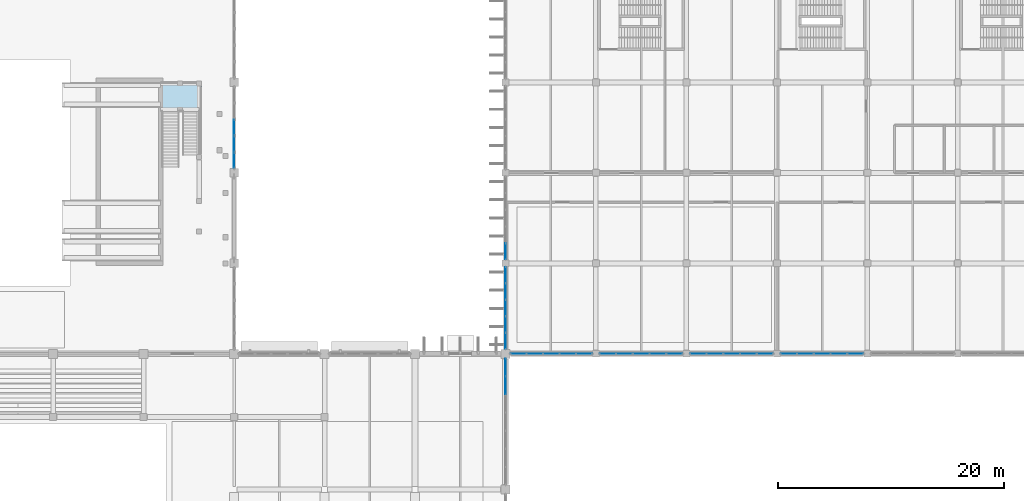
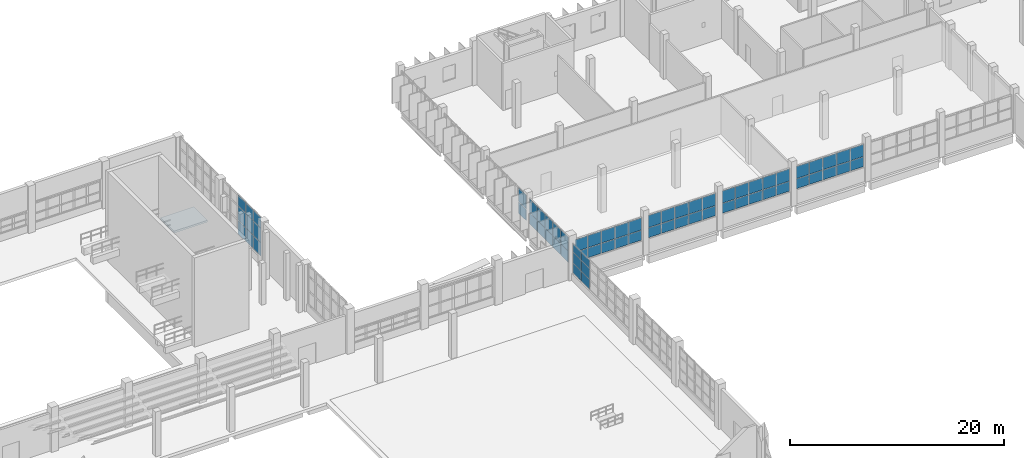
# One storey, part 60 of 103: 67 plates, 1 slab, 9 elements without a shape of their own.
"""IFC4 building model written with IfcOpenShell, lengths in metres."""

from ifc_helpers import new_model, si_unit, direction, frame, origin, origin_2d, place, context, subcontext, project, spatial, polyline, rectangle, outline, extrude, material, layer, layer_set, type_object, element, aggregate, save


model = new_model("IFC4")

# Units and contexts
model_context = context("Model", 3, precision=1e-05, world=origin(), true_north=direction((0.0, 1.0)))
body_context = subcontext(model_context, "Body", "Model", "MODEL_VIEW")
ifc_project = project(units=[si_unit("LENGTHUNIT", "METRE"), si_unit("AREAUNIT", "SQUARE_METRE"), si_unit("VOLUMEUNIT", "CUBIC_METRE"), si_unit("PLANEANGLEUNIT", "RADIAN"), si_unit("MASSUNIT", "GRAM", prefix="KILO")], contexts=[model_context])

# Site, building, storey
site_placement = place(None, origin())
site = spatial("IfcSite", under=ifc_project, at=site_placement, CompositionType="ELEMENT")
building_placement = place(site_placement, origin())
building = spatial("IfcBuilding", under=site, at=building_placement, Name="Drelvana Railside Aquatics Centre", CompositionType="ELEMENT")
storey_placement = place(building_placement, origin())
storey = spatial("IfcBuildingStorey", under=building, at=storey_placement, Name="L00", CompositionType="ELEMENT", Elevation=0.0)

# Curtain wall, plates
ifc_material_1 = material(Name="Bronze-anodised aluminium curtain wall", Category="aluminium")
ifc_layer_1 = layer(ifc_material_1, 0.1650390625, Name="Bronze-anodised aluminium curtain wall")
ifc_layer_set_1 = layer_set([ifc_layer_1], Name="Bronze-anodised aluminium curtain wall")
curtain_wall_type_1 = type_object("IfcCurtainWallType", Name="CW-Z5-COURT", PredefinedType="NOTDEFINED", material=ifc_layer_set_1)
curtain_wall_1_placement = place(storey_placement, origin())
curtain_wall_1 = element("IfcCurtainWall", 1, at=curtain_wall_1_placement, inside=storey, type_object=curtain_wall_type_1, Name="Curtain wall CW-05-078", PredefinedType="NOTDEFINED")
ifc_material_2 = material(Name="Double-glazed low-e solar-control glass", Category="glass")
ifc_layer_2 = layer(ifc_material_2, 0.02587890625, Name="Double-glazed low-e solar-control glass")
ifc_layer_set_2 = layer_set([ifc_layer_2], Name="Double-glazed low-e solar-control glass")
plate_type_1 = type_object("IfcPlateType", Name="CW-Z5-COURT-PAN", PredefinedType="CURTAIN_PANEL", material=ifc_layer_set_2)
plate_1_placement = place(storey_placement, frame((96.0, 81.203369140625, 0.84912109375), z_axis=(0.0, 0.0, 1.0), x_axis=(0.0, 1.0, 0.0)))
plate_1 = element("IfcPlate", 2, at=plate_1_placement, type_object=plate_type_1, Name="CW-05 panel 6.1", PredefinedType="CURTAIN_PANEL", context=body_context, shape_type="SweptSolid", body=[
    extrude(rectangle(XDim=1.5517578125, YDim=0.02587890625, at=origin_2d()), origin(), (0.0, 0.0, 1.0), 1.114013671875),
])
plate_2_placement = place(storey_placement, frame((96.0, 81.203369140625, 2.012939453125), z_axis=(0.0, 0.0, 1.0), x_axis=(0.0, 1.0, 0.0)))
plate_2 = element("IfcPlate", 3, at=plate_2_placement, type_object=plate_type_1, Name="CW-05 panel 6.2", PredefinedType="CURTAIN_PANEL", context=body_context, shape_type="SweptSolid", body=[
    extrude(rectangle(XDim=1.5517578125, YDim=0.02587890625, at=origin_2d()), origin(), (0.0, 0.0, 1.0), 1.2119140625),
])
plate_3_placement = place(storey_placement, frame((96.0, 81.203369140625, 3.27490234375), z_axis=(0.0, 0.0, 1.0), x_axis=(0.0, 1.0, 0.0)))
plate_3 = element("IfcPlate", 4, at=plate_3_placement, type_object=plate_type_1, Name="CW-05 panel 6.3", PredefinedType="CURTAIN_PANEL", context=body_context, shape_type="SweptSolid", body=[
    extrude(rectangle(XDim=1.5517578125, YDim=0.02587890625, at=origin_2d()), origin(), (0.0, 0.0, 1.0), 0.875),
])
plate_4_placement = place(storey_placement, frame((96.0, 82.7900390625, 0.84912109375), z_axis=(0.0, 0.0, 1.0), x_axis=(0.0, 1.0, 0.0)))
plate_4 = element("IfcPlate", 5, at=plate_4_placement, type_object=plate_type_1, Name="CW-05 panel 7.1", PredefinedType="CURTAIN_PANEL", context=body_context, shape_type="SweptSolid", body=[
    extrude(rectangle(XDim=1.521728515625, YDim=0.02587890625, at=origin_2d()), origin(), (0.0, 0.0, 1.0), 1.114013671875),
])
plate_5_placement = place(storey_placement, frame((96.0, 82.7900390625, 2.012939453125), z_axis=(0.0, 0.0, 1.0), x_axis=(0.0, 1.0, 0.0)))
plate_5 = element("IfcPlate", 6, at=plate_5_placement, type_object=plate_type_1, Name="CW-05 panel 7.2", PredefinedType="CURTAIN_PANEL", context=body_context, shape_type="SweptSolid", body=[
    extrude(rectangle(XDim=1.521728515625, YDim=0.02587890625, at=origin_2d()), origin(), (0.0, 0.0, 1.0), 1.2119140625),
])
plate_6_placement = place(storey_placement, frame((96.0, 82.7900390625, 3.27490234375), z_axis=(0.0, 0.0, 1.0), x_axis=(0.0, 1.0, 0.0)))
plate_6 = element("IfcPlate", 7, at=plate_6_placement, type_object=plate_type_1, Name="CW-05 panel 7.3", PredefinedType="CURTAIN_PANEL", context=body_context, shape_type="SweptSolid", body=[
    extrude(rectangle(XDim=1.521728515625, YDim=0.02587890625, at=origin_2d()), origin(), (0.0, 0.0, 1.0), 0.875),
])
aggregate(curtain_wall_1, [plate_1, plate_2, plate_3, plate_4, plate_5, plate_6])

curtain_wall_2_placement = place(storey_placement, origin())
curtain_wall_2 = element("IfcCurtainWall", 8, at=curtain_wall_2_placement, inside=storey, type_object=curtain_wall_type_1, Name="Curtain wall CW-05-115", PredefinedType="NOTDEFINED")
plate_7_placement = place(storey_placement, frame((97.14013671875, 84.0, 1.64892578125), z_axis=(0.0, 0.0, 1.0), x_axis=(1.0, 0.0, 0.0)))
plate_7 = element("IfcPlate", 9, at=plate_7_placement, type_object=plate_type_1, Name="CW-05 panel 1.1", PredefinedType="CURTAIN_PANEL", context=body_context, shape_type="SweptSolid", body=[
    extrude(rectangle(XDim=1.38232421875, YDim=0.02587890625, at=origin_2d()), origin(), (0.0, 0.0, 1.0), 1.114990234375),
])
plate_8_placement = place(storey_placement, frame((97.14013671875, 84.0, 2.81396484375), z_axis=(0.0, 0.0, 1.0), x_axis=(1.0, 0.0, 0.0)))
plate_8 = element("IfcPlate", 10, at=plate_8_placement, type_object=plate_type_1, Name="CW-05 panel 1.2", PredefinedType="CURTAIN_PANEL", context=body_context, shape_type="SweptSolid", body=[
    extrude(rectangle(XDim=1.38232421875, YDim=0.02587890625, at=origin_2d()), origin(), (0.0, 0.0, 1.0), 1.381103515625),
])
plate_9_placement = place(storey_placement, frame((98.587646484375, 84.0, 1.64892578125), z_axis=(0.0, 0.0, 1.0), x_axis=(1.0, 0.0, 0.0)))
plate_9 = element("IfcPlate", 11, at=plate_9_placement, type_object=plate_type_1, Name="CW-05 panel 2.1", PredefinedType="CURTAIN_PANEL", context=body_context, shape_type="SweptSolid", body=[
    extrude(rectangle(XDim=1.412353515625, YDim=0.02587890625, at=origin_2d()), origin(), (0.0, 0.0, 1.0), 1.114990234375),
])
plate_10_placement = place(storey_placement, frame((98.587646484375, 84.0, 2.81396484375), z_axis=(0.0, 0.0, 1.0), x_axis=(1.0, 0.0, 0.0)))
plate_10 = element("IfcPlate", 12, at=plate_10_placement, type_object=plate_type_1, Name="CW-05 panel 2.2", PredefinedType="CURTAIN_PANEL", context=body_context, shape_type="SweptSolid", body=[
    extrude(rectangle(XDim=1.412353515625, YDim=0.02587890625, at=origin_2d()), origin(), (0.0, 0.0, 1.0), 1.381103515625),
])
plate_11_placement = place(storey_placement, frame((100.050048828125, 84.0, 1.64892578125), z_axis=(0.0, 0.0, 1.0), x_axis=(1.0, 0.0, 0.0)))
plate_11 = element("IfcPlate", 13, at=plate_11_placement, type_object=plate_type_1, Name="CW-05 panel 3.1", PredefinedType="CURTAIN_PANEL", context=body_context, shape_type="SweptSolid", body=[
    extrude(rectangle(XDim=1.412353515625, YDim=0.02587890625, at=origin_2d()), origin(), (0.0, 0.0, 1.0), 1.114990234375),
])
plate_12_placement = place(storey_placement, frame((100.050048828125, 84.0, 2.81396484375), z_axis=(0.0, 0.0, 1.0), x_axis=(1.0, 0.0, 0.0)))
plate_12 = element("IfcPlate", 14, at=plate_12_placement, type_object=plate_type_1, Name="CW-05 panel 3.2", PredefinedType="CURTAIN_PANEL", context=body_context, shape_type="SweptSolid", body=[
    extrude(rectangle(XDim=1.412353515625, YDim=0.02587890625, at=origin_2d()), origin(), (0.0, 0.0, 1.0), 1.381103515625),
])
plate_13_placement = place(storey_placement, frame((101.512451171875, 84.0, 1.64892578125), z_axis=(0.0, 0.0, 1.0), x_axis=(1.0, 0.0, 0.0)))
plate_13 = element("IfcPlate", 15, at=plate_13_placement, type_object=plate_type_1, Name="CW-05 panel 4.1", PredefinedType="CURTAIN_PANEL", context=body_context, shape_type="SweptSolid", body=[
    extrude(rectangle(XDim=1.412353515625, YDim=0.02587890625, at=origin_2d()), origin(), (0.0, 0.0, 1.0), 1.114990234375),
])
plate_14_placement = place(storey_placement, frame((101.512451171875, 84.0, 2.81396484375), z_axis=(0.0, 0.0, 1.0), x_axis=(1.0, 0.0, 0.0)))
plate_14 = element("IfcPlate", 16, at=plate_14_placement, type_object=plate_type_1, Name="CW-05 panel 4.2", PredefinedType="CURTAIN_PANEL", context=body_context, shape_type="SweptSolid", body=[
    extrude(rectangle(XDim=1.412353515625, YDim=0.02587890625, at=origin_2d()), origin(), (0.0, 0.0, 1.0), 1.381103515625),
])
plate_15_placement = place(storey_placement, frame((102.959716796875, 84.0, 1.64892578125), z_axis=(0.0, 0.0, 1.0), x_axis=(1.0, 0.0, 0.0)))
plate_15 = element("IfcPlate", 17, at=plate_15_placement, type_object=plate_type_1, Name="CW-05 panel 5.1", PredefinedType="CURTAIN_PANEL", context=body_context, shape_type="SweptSolid", body=[
    extrude(rectangle(XDim=1.38232421875, YDim=0.02587890625, at=origin_2d()), origin(), (0.0, 0.0, 1.0), 1.114990234375),
])
plate_16_placement = place(storey_placement, frame((102.959716796875, 84.0, 2.81396484375), z_axis=(0.0, 0.0, 1.0), x_axis=(1.0, 0.0, 0.0)))
plate_16 = element("IfcPlate", 18, at=plate_16_placement, type_object=plate_type_1, Name="CW-05 panel 5.2", PredefinedType="CURTAIN_PANEL", context=body_context, shape_type="SweptSolid", body=[
    extrude(rectangle(XDim=1.38232421875, YDim=0.02587890625, at=origin_2d()), origin(), (0.0, 0.0, 1.0), 1.381103515625),
])
aggregate(curtain_wall_2, [plate_7, plate_8, plate_9, plate_10, plate_11, plate_12, plate_13, plate_14, plate_15, plate_16])

curtain_wall_3_placement = place(storey_placement, origin())
curtain_wall_3 = element("IfcCurtainWall", 19, at=curtain_wall_3_placement, inside=storey, type_object=curtain_wall_type_1, Name="Curtain wall CW-05-117", PredefinedType="NOTDEFINED")
plate_17_placement = place(storey_placement, frame((105.05029296875, 84.0, 1.64892578125), z_axis=(0.0, 0.0, 1.0), x_axis=(1.0, 0.0, 0.0)))
plate_17 = element("IfcPlate", 20, at=plate_17_placement, type_object=plate_type_1, Name="CW-05 panel 1.1", PredefinedType="CURTAIN_PANEL", context=body_context, shape_type="SweptSolid", body=[
    extrude(rectangle(XDim=1.40234375, YDim=0.02587890625, at=origin_2d()), origin(), (0.0, 0.0, 1.0), 1.114990234375),
])
plate_18_placement = place(storey_placement, frame((105.05029296875, 84.0, 2.81396484375), z_axis=(0.0, 0.0, 1.0), x_axis=(1.0, 0.0, 0.0)))
plate_18 = element("IfcPlate", 21, at=plate_18_placement, type_object=plate_type_1, Name="CW-05 panel 1.2", PredefinedType="CURTAIN_PANEL", context=body_context, shape_type="SweptSolid", body=[
    extrude(rectangle(XDim=1.40234375, YDim=0.02587890625, at=origin_2d()), origin(), (0.0, 0.0, 1.0), 1.381103515625),
])
plate_19_placement = place(storey_placement, frame((106.517578125, 84.0, 1.64892578125), z_axis=(0.0, 0.0, 1.0), x_axis=(1.0, 0.0, 0.0)))
plate_19 = element("IfcPlate", 22, at=plate_19_placement, type_object=plate_type_1, Name="CW-05 panel 2.1", PredefinedType="CURTAIN_PANEL", context=body_context, shape_type="SweptSolid", body=[
    extrude(rectangle(XDim=1.432373046875, YDim=0.02587890625, at=origin_2d()), origin(), (0.0, 0.0, 1.0), 1.114990234375),
])
plate_20_placement = place(storey_placement, frame((106.517578125, 84.0, 2.81396484375), z_axis=(0.0, 0.0, 1.0), x_axis=(1.0, 0.0, 0.0)))
plate_20 = element("IfcPlate", 23, at=plate_20_placement, type_object=plate_type_1, Name="CW-05 panel 2.2", PredefinedType="CURTAIN_PANEL", context=body_context, shape_type="SweptSolid", body=[
    extrude(rectangle(XDim=1.432373046875, YDim=0.02587890625, at=origin_2d()), origin(), (0.0, 0.0, 1.0), 1.381103515625),
])
plate_21_placement = place(storey_placement, frame((108.0, 84.0, 1.64892578125), z_axis=(0.0, 0.0, 1.0), x_axis=(1.0, 0.0, 0.0)))
plate_21 = element("IfcPlate", 24, at=plate_21_placement, type_object=plate_type_1, Name="CW-05 panel 3.1", PredefinedType="CURTAIN_PANEL", context=body_context, shape_type="SweptSolid", body=[
    extrude(rectangle(XDim=1.432373046875, YDim=0.02587890625, at=origin_2d()), origin(), (0.0, 0.0, 1.0), 1.114990234375),
])
plate_22_placement = place(storey_placement, frame((108.0, 84.0, 2.81396484375), z_axis=(0.0, 0.0, 1.0), x_axis=(1.0, 0.0, 0.0)))
plate_22 = element("IfcPlate", 25, at=plate_22_placement, type_object=plate_type_1, Name="CW-05 panel 3.2", PredefinedType="CURTAIN_PANEL", context=body_context, shape_type="SweptSolid", body=[
    extrude(rectangle(XDim=1.432373046875, YDim=0.02587890625, at=origin_2d()), origin(), (0.0, 0.0, 1.0), 1.381103515625),
])
plate_23_placement = place(storey_placement, frame((109.482421875, 84.0, 1.64892578125), z_axis=(0.0, 0.0, 1.0), x_axis=(1.0, 0.0, 0.0)))
plate_23 = element("IfcPlate", 26, at=plate_23_placement, type_object=plate_type_1, Name="CW-05 panel 4.1", PredefinedType="CURTAIN_PANEL", context=body_context, shape_type="SweptSolid", body=[
    extrude(rectangle(XDim=1.432373046875, YDim=0.02587890625, at=origin_2d()), origin(), (0.0, 0.0, 1.0), 1.114990234375),
])
plate_24_placement = place(storey_placement, frame((109.482421875, 84.0, 2.81396484375), z_axis=(0.0, 0.0, 1.0), x_axis=(1.0, 0.0, 0.0)))
plate_24 = element("IfcPlate", 27, at=plate_24_placement, type_object=plate_type_1, Name="CW-05 panel 4.2", PredefinedType="CURTAIN_PANEL", context=body_context, shape_type="SweptSolid", body=[
    extrude(rectangle(XDim=1.432373046875, YDim=0.02587890625, at=origin_2d()), origin(), (0.0, 0.0, 1.0), 1.381103515625),
])
plate_25_placement = place(storey_placement, frame((110.94970703125, 84.0, 1.64892578125), z_axis=(0.0, 0.0, 1.0), x_axis=(1.0, 0.0, 0.0)))
plate_25 = element("IfcPlate", 28, at=plate_25_placement, type_object=plate_type_1, Name="CW-05 panel 5.1", PredefinedType="CURTAIN_PANEL", context=body_context, shape_type="SweptSolid", body=[
    extrude(rectangle(XDim=1.40234375, YDim=0.02587890625, at=origin_2d()), origin(), (0.0, 0.0, 1.0), 1.114990234375),
])
plate_26_placement = place(storey_placement, frame((110.94970703125, 84.0, 2.81396484375), z_axis=(0.0, 0.0, 1.0), x_axis=(1.0, 0.0, 0.0)))
plate_26 = element("IfcPlate", 29, at=plate_26_placement, type_object=plate_type_1, Name="CW-05 panel 5.2", PredefinedType="CURTAIN_PANEL", context=body_context, shape_type="SweptSolid", body=[
    extrude(rectangle(XDim=1.40234375, YDim=0.02587890625, at=origin_2d()), origin(), (0.0, 0.0, 1.0), 1.381103515625),
])
aggregate(curtain_wall_3, [plate_17, plate_18, plate_19, plate_20, plate_21, plate_22, plate_23, plate_24, plate_25, plate_26])

curtain_wall_4_placement = place(storey_placement, origin())
curtain_wall_4 = element("IfcCurtainWall", 30, at=curtain_wall_4_placement, inside=storey, type_object=curtain_wall_type_1, Name="Curtain wall CW-05-119", PredefinedType="NOTDEFINED")
plate_27_placement = place(storey_placement, frame((113.05029296875, 84.0, 1.64892578125), z_axis=(0.0, 0.0, 1.0), x_axis=(1.0, 0.0, 0.0)))
plate_27 = element("IfcPlate", 31, at=plate_27_placement, type_object=plate_type_1, Name="CW-05 panel 1.1", PredefinedType="CURTAIN_PANEL", context=body_context, shape_type="SweptSolid", body=[
    extrude(rectangle(XDim=1.40234375, YDim=0.02587890625, at=origin_2d()), origin(), (0.0, 0.0, 1.0), 1.114990234375),
])
plate_28_placement = place(storey_placement, frame((113.05029296875, 84.0, 2.81396484375), z_axis=(0.0, 0.0, 1.0), x_axis=(1.0, 0.0, 0.0)))
plate_28 = element("IfcPlate", 32, at=plate_28_placement, type_object=plate_type_1, Name="CW-05 panel 1.2", PredefinedType="CURTAIN_PANEL", context=body_context, shape_type="SweptSolid", body=[
    extrude(rectangle(XDim=1.40234375, YDim=0.02587890625, at=origin_2d()), origin(), (0.0, 0.0, 1.0), 1.381103515625),
])
plate_29_placement = place(storey_placement, frame((114.517578125, 84.0, 1.64892578125), z_axis=(0.0, 0.0, 1.0), x_axis=(1.0, 0.0, 0.0)))
plate_29 = element("IfcPlate", 33, at=plate_29_placement, type_object=plate_type_1, Name="CW-05 panel 2.1", PredefinedType="CURTAIN_PANEL", context=body_context, shape_type="SweptSolid", body=[
    extrude(rectangle(XDim=1.432373046875, YDim=0.02587890625, at=origin_2d()), origin(), (0.0, 0.0, 1.0), 1.114990234375),
])
plate_30_placement = place(storey_placement, frame((114.517578125, 84.0, 2.81396484375), z_axis=(0.0, 0.0, 1.0), x_axis=(1.0, 0.0, 0.0)))
plate_30 = element("IfcPlate", 34, at=plate_30_placement, type_object=plate_type_1, Name="CW-05 panel 2.2", PredefinedType="CURTAIN_PANEL", context=body_context, shape_type="SweptSolid", body=[
    extrude(rectangle(XDim=1.432373046875, YDim=0.02587890625, at=origin_2d()), origin(), (0.0, 0.0, 1.0), 1.381103515625),
])
plate_31_placement = place(storey_placement, frame((116.0, 84.0, 1.64892578125), z_axis=(0.0, 0.0, 1.0), x_axis=(1.0, 0.0, 0.0)))
plate_31 = element("IfcPlate", 35, at=plate_31_placement, type_object=plate_type_1, Name="CW-05 panel 3.1", PredefinedType="CURTAIN_PANEL", context=body_context, shape_type="SweptSolid", body=[
    extrude(rectangle(XDim=1.432373046875, YDim=0.02587890625, at=origin_2d()), origin(), (0.0, 0.0, 1.0), 1.114990234375),
])
plate_32_placement = place(storey_placement, frame((116.0, 84.0, 2.81396484375), z_axis=(0.0, 0.0, 1.0), x_axis=(1.0, 0.0, 0.0)))
plate_32 = element("IfcPlate", 36, at=plate_32_placement, type_object=plate_type_1, Name="CW-05 panel 3.2", PredefinedType="CURTAIN_PANEL", context=body_context, shape_type="SweptSolid", body=[
    extrude(rectangle(XDim=1.432373046875, YDim=0.02587890625, at=origin_2d()), origin(), (0.0, 0.0, 1.0), 1.381103515625),
])
plate_33_placement = place(storey_placement, frame((117.482421875, 84.0, 1.64892578125), z_axis=(0.0, 0.0, 1.0), x_axis=(1.0, 0.0, 0.0)))
plate_33 = element("IfcPlate", 37, at=plate_33_placement, type_object=plate_type_1, Name="CW-05 panel 4.1", PredefinedType="CURTAIN_PANEL", context=body_context, shape_type="SweptSolid", body=[
    extrude(rectangle(XDim=1.432373046875, YDim=0.02587890625, at=origin_2d()), origin(), (0.0, 0.0, 1.0), 1.114990234375),
])
plate_34_placement = place(storey_placement, frame((117.482421875, 84.0, 2.81396484375), z_axis=(0.0, 0.0, 1.0), x_axis=(1.0, 0.0, 0.0)))
plate_34 = element("IfcPlate", 38, at=plate_34_placement, type_object=plate_type_1, Name="CW-05 panel 4.2", PredefinedType="CURTAIN_PANEL", context=body_context, shape_type="SweptSolid", body=[
    extrude(rectangle(XDim=1.432373046875, YDim=0.02587890625, at=origin_2d()), origin(), (0.0, 0.0, 1.0), 1.381103515625),
])
plate_35_placement = place(storey_placement, frame((118.94970703125, 84.0, 1.64892578125), z_axis=(0.0, 0.0, 1.0), x_axis=(1.0, 0.0, 0.0)))
plate_35 = element("IfcPlate", 39, at=plate_35_placement, type_object=plate_type_1, Name="CW-05 panel 5.1", PredefinedType="CURTAIN_PANEL", context=body_context, shape_type="SweptSolid", body=[
    extrude(rectangle(XDim=1.40234375, YDim=0.02587890625, at=origin_2d()), origin(), (0.0, 0.0, 1.0), 1.114990234375),
])
plate_36_placement = place(storey_placement, frame((118.94970703125, 84.0, 2.81396484375), z_axis=(0.0, 0.0, 1.0), x_axis=(1.0, 0.0, 0.0)))
plate_36 = element("IfcPlate", 40, at=plate_36_placement, type_object=plate_type_1, Name="CW-05 panel 5.2", PredefinedType="CURTAIN_PANEL", context=body_context, shape_type="SweptSolid", body=[
    extrude(rectangle(XDim=1.40234375, YDim=0.02587890625, at=origin_2d()), origin(), (0.0, 0.0, 1.0), 1.381103515625),
])
aggregate(curtain_wall_4, [plate_27, plate_28, plate_29, plate_30, plate_31, plate_32, plate_33, plate_34, plate_35, plate_36])

curtain_wall_5_placement = place(storey_placement, origin())
curtain_wall_5 = element("IfcCurtainWall", 41, at=curtain_wall_5_placement, inside=storey, type_object=curtain_wall_type_1, Name="Curtain wall CW-05-121", PredefinedType="NOTDEFINED")
plate_37_placement = place(storey_placement, frame((121.05029296875, 84.0, 1.64892578125), z_axis=(0.0, 0.0, 1.0), x_axis=(1.0, 0.0, 0.0)))
plate_37 = element("IfcPlate", 42, at=plate_37_placement, type_object=plate_type_1, Name="CW-05 panel 1.1", PredefinedType="CURTAIN_PANEL", context=body_context, shape_type="SweptSolid", body=[
    extrude(rectangle(XDim=1.40234375, YDim=0.02587890625, at=origin_2d()), origin(), (0.0, 0.0, 1.0), 1.114990234375),
])
plate_38_placement = place(storey_placement, frame((121.05029296875, 84.0, 2.81396484375), z_axis=(0.0, 0.0, 1.0), x_axis=(1.0, 0.0, 0.0)))
plate_38 = element("IfcPlate", 43, at=plate_38_placement, type_object=plate_type_1, Name="CW-05 panel 1.2", PredefinedType="CURTAIN_PANEL", context=body_context, shape_type="SweptSolid", body=[
    extrude(rectangle(XDim=1.40234375, YDim=0.02587890625, at=origin_2d()), origin(), (0.0, 0.0, 1.0), 1.381103515625),
])
plate_39_placement = place(storey_placement, frame((122.517578125, 84.0, 1.64892578125), z_axis=(0.0, 0.0, 1.0), x_axis=(1.0, 0.0, 0.0)))
plate_39 = element("IfcPlate", 44, at=plate_39_placement, type_object=plate_type_1, Name="CW-05 panel 2.1", PredefinedType="CURTAIN_PANEL", context=body_context, shape_type="SweptSolid", body=[
    extrude(rectangle(XDim=1.432373046875, YDim=0.02587890625, at=origin_2d()), origin(), (0.0, 0.0, 1.0), 1.114990234375),
])
plate_40_placement = place(storey_placement, frame((122.517578125, 84.0, 2.81396484375), z_axis=(0.0, 0.0, 1.0), x_axis=(1.0, 0.0, 0.0)))
plate_40 = element("IfcPlate", 45, at=plate_40_placement, type_object=plate_type_1, Name="CW-05 panel 2.2", PredefinedType="CURTAIN_PANEL", context=body_context, shape_type="SweptSolid", body=[
    extrude(rectangle(XDim=1.432373046875, YDim=0.02587890625, at=origin_2d()), origin(), (0.0, 0.0, 1.0), 1.381103515625),
])
plate_41_placement = place(storey_placement, frame((124.0, 84.0, 1.64892578125), z_axis=(0.0, 0.0, 1.0), x_axis=(1.0, 0.0, 0.0)))
plate_41 = element("IfcPlate", 46, at=plate_41_placement, type_object=plate_type_1, Name="CW-05 panel 3.1", PredefinedType="CURTAIN_PANEL", context=body_context, shape_type="SweptSolid", body=[
    extrude(rectangle(XDim=1.432373046875, YDim=0.02587890625, at=origin_2d()), origin(), (0.0, 0.0, 1.0), 1.114990234375),
])
plate_42_placement = place(storey_placement, frame((124.0, 84.0, 2.81396484375), z_axis=(0.0, 0.0, 1.0), x_axis=(1.0, 0.0, 0.0)))
plate_42 = element("IfcPlate", 47, at=plate_42_placement, type_object=plate_type_1, Name="CW-05 panel 3.2", PredefinedType="CURTAIN_PANEL", context=body_context, shape_type="SweptSolid", body=[
    extrude(rectangle(XDim=1.432373046875, YDim=0.02587890625, at=origin_2d()), origin(), (0.0, 0.0, 1.0), 1.381103515625),
])
plate_43_placement = place(storey_placement, frame((125.482421875, 84.0, 1.64892578125), z_axis=(0.0, 0.0, 1.0), x_axis=(1.0, 0.0, 0.0)))
plate_43 = element("IfcPlate", 48, at=plate_43_placement, type_object=plate_type_1, Name="CW-05 panel 4.1", PredefinedType="CURTAIN_PANEL", context=body_context, shape_type="SweptSolid", body=[
    extrude(rectangle(XDim=1.432373046875, YDim=0.02587890625, at=origin_2d()), origin(), (0.0, 0.0, 1.0), 1.114990234375),
])
plate_44_placement = place(storey_placement, frame((125.482421875, 84.0, 2.81396484375), z_axis=(0.0, 0.0, 1.0), x_axis=(1.0, 0.0, 0.0)))
plate_44 = element("IfcPlate", 49, at=plate_44_placement, type_object=plate_type_1, Name="CW-05 panel 4.2", PredefinedType="CURTAIN_PANEL", context=body_context, shape_type="SweptSolid", body=[
    extrude(rectangle(XDim=1.432373046875, YDim=0.02587890625, at=origin_2d()), origin(), (0.0, 0.0, 1.0), 1.381103515625),
])
plate_45_placement = place(storey_placement, frame((126.94970703125, 84.0, 1.64892578125), z_axis=(0.0, 0.0, 1.0), x_axis=(1.0, 0.0, 0.0)))
plate_45 = element("IfcPlate", 50, at=plate_45_placement, type_object=plate_type_1, Name="CW-05 panel 5.1", PredefinedType="CURTAIN_PANEL", context=body_context, shape_type="SweptSolid", body=[
    extrude(rectangle(XDim=1.40234375, YDim=0.02587890625, at=origin_2d()), origin(), (0.0, 0.0, 1.0), 1.114990234375),
])
plate_46_placement = place(storey_placement, frame((126.94970703125, 84.0, 2.81396484375), z_axis=(0.0, 0.0, 1.0), x_axis=(1.0, 0.0, 0.0)))
plate_46 = element("IfcPlate", 51, at=plate_46_placement, type_object=plate_type_1, Name="CW-05 panel 5.2", PredefinedType="CURTAIN_PANEL", context=body_context, shape_type="SweptSolid", body=[
    extrude(rectangle(XDim=1.40234375, YDim=0.02587890625, at=origin_2d()), origin(), (0.0, 0.0, 1.0), 1.381103515625),
])
aggregate(curtain_wall_5, [plate_37, plate_38, plate_39, plate_40, plate_41, plate_42, plate_43, plate_44, plate_45, plate_46])

curtain_wall_6_placement = place(storey_placement, origin())
curtain_wall_6 = element("IfcCurtainWall", 52, at=curtain_wall_6_placement, inside=storey, type_object=curtain_wall_type_1, Name="Curtain wall CW-05-127", PredefinedType="NOTDEFINED")
plate_47_placement = place(storey_placement, frame((96.0, 85.14013671875, 1.4990234375), z_axis=(0.0, 0.0, 1.0), x_axis=(0.0, 1.0, 0.0)))
plate_47 = element("IfcPlate", 53, at=plate_47_placement, type_object=plate_type_1, Name="CW-05 panel 1.1", PredefinedType="CURTAIN_PANEL", context=body_context, shape_type="SweptSolid", body=[
    extrude(rectangle(XDim=1.38232421875, YDim=0.02587890625, at=origin_2d()), origin(), (0.0, 0.0, 1.0), 1.27294921875),
])
plate_48_placement = place(storey_placement, frame((96.0, 85.14013671875, 2.82177734375), z_axis=(0.0, 0.0, 1.0), x_axis=(0.0, 1.0, 0.0)))
plate_48 = element("IfcPlate", 54, at=plate_48_placement, type_object=plate_type_1, Name="CW-05 panel 1.2", PredefinedType="CURTAIN_PANEL", context=body_context, shape_type="SweptSolid", body=[
    extrude(rectangle(XDim=1.38232421875, YDim=0.02587890625, at=origin_2d()), origin(), (0.0, 0.0, 1.0), 1.572998046875),
])
plate_49_placement = place(storey_placement, frame((96.0, 86.587646484375, 1.4990234375), z_axis=(0.0, 0.0, 1.0), x_axis=(0.0, 1.0, 0.0)))
plate_49 = element("IfcPlate", 55, at=plate_49_placement, type_object=plate_type_1, Name="CW-05 panel 2.1", PredefinedType="CURTAIN_PANEL", context=body_context, shape_type="SweptSolid", body=[
    extrude(rectangle(XDim=1.412353515625, YDim=0.02587890625, at=origin_2d()), origin(), (0.0, 0.0, 1.0), 1.27294921875),
])
plate_50_placement = place(storey_placement, frame((96.0, 86.587646484375, 2.82177734375), z_axis=(0.0, 0.0, 1.0), x_axis=(0.0, 1.0, 0.0)))
plate_50 = element("IfcPlate", 56, at=plate_50_placement, type_object=plate_type_1, Name="CW-05 panel 2.2", PredefinedType="CURTAIN_PANEL", context=body_context, shape_type="SweptSolid", body=[
    extrude(rectangle(XDim=1.412353515625, YDim=0.02587890625, at=origin_2d()), origin(), (0.0, 0.0, 1.0), 1.572998046875),
])
plate_51_placement = place(storey_placement, frame((96.0, 88.050048828125, 1.4990234375), z_axis=(0.0, 0.0, 1.0), x_axis=(0.0, 1.0, 0.0)))
plate_51 = element("IfcPlate", 57, at=plate_51_placement, type_object=plate_type_1, Name="CW-05 panel 3.1", PredefinedType="CURTAIN_PANEL", context=body_context, shape_type="SweptSolid", body=[
    extrude(rectangle(XDim=1.412353515625, YDim=0.02587890625, at=origin_2d()), origin(), (0.0, 0.0, 1.0), 1.27294921875),
])
plate_52_placement = place(storey_placement, frame((96.0, 88.050048828125, 2.82177734375), z_axis=(0.0, 0.0, 1.0), x_axis=(0.0, 1.0, 0.0)))
plate_52 = element("IfcPlate", 58, at=plate_52_placement, type_object=plate_type_1, Name="CW-05 panel 3.2", PredefinedType="CURTAIN_PANEL", context=body_context, shape_type="SweptSolid", body=[
    extrude(rectangle(XDim=1.412353515625, YDim=0.02587890625, at=origin_2d()), origin(), (0.0, 0.0, 1.0), 1.572998046875),
])
plate_53_placement = place(storey_placement, frame((96.0, 89.512451171875, 1.4990234375), z_axis=(0.0, 0.0, 1.0), x_axis=(0.0, 1.0, 0.0)))
plate_53 = element("IfcPlate", 59, at=plate_53_placement, type_object=plate_type_1, Name="CW-05 panel 4.1", PredefinedType="CURTAIN_PANEL", context=body_context, shape_type="SweptSolid", body=[
    extrude(rectangle(XDim=1.412353515625, YDim=0.02587890625, at=origin_2d()), origin(), (0.0, 0.0, 1.0), 1.27294921875),
])
plate_54_placement = place(storey_placement, frame((96.0, 89.512451171875, 2.82177734375), z_axis=(0.0, 0.0, 1.0), x_axis=(0.0, 1.0, 0.0)))
plate_54 = element("IfcPlate", 60, at=plate_54_placement, type_object=plate_type_1, Name="CW-05 panel 4.2", PredefinedType="CURTAIN_PANEL", context=body_context, shape_type="SweptSolid", body=[
    extrude(rectangle(XDim=1.412353515625, YDim=0.02587890625, at=origin_2d()), origin(), (0.0, 0.0, 1.0), 1.572998046875),
])
plate_55_placement = place(storey_placement, frame((96.0, 90.959716796875, 1.4990234375), z_axis=(0.0, 0.0, 1.0), x_axis=(0.0, 1.0, 0.0)))
plate_55 = element("IfcPlate", 61, at=plate_55_placement, type_object=plate_type_1, Name="CW-05 panel 5.1", PredefinedType="CURTAIN_PANEL", context=body_context, shape_type="SweptSolid", body=[
    extrude(rectangle(XDim=1.38232421875, YDim=0.02587890625, at=origin_2d()), origin(), (0.0, 0.0, 1.0), 1.27294921875),
])
plate_56_placement = place(storey_placement, frame((96.0, 90.959716796875, 2.82177734375), z_axis=(0.0, 0.0, 1.0), x_axis=(0.0, 1.0, 0.0)))
plate_56 = element("IfcPlate", 62, at=plate_56_placement, type_object=plate_type_1, Name="CW-05 panel 5.2", PredefinedType="CURTAIN_PANEL", context=body_context, shape_type="SweptSolid", body=[
    extrude(rectangle(XDim=1.38232421875, YDim=0.02587890625, at=origin_2d()), origin(), (0.0, 0.0, 1.0), 1.572998046875),
])
aggregate(curtain_wall_6, [plate_47, plate_48, plate_49, plate_50, plate_51, plate_52, plate_53, plate_54, plate_55, plate_56])

curtain_wall_7_placement = place(storey_placement, origin())
curtain_wall_7 = element("IfcCurtainWall", 63, at=curtain_wall_7_placement, inside=storey, type_object=curtain_wall_type_1, Name="Curtain wall CW-05-129", PredefinedType="NOTDEFINED")
plate_57_placement = place(storey_placement, frame((96.0, 93.05029296875, 1.4990234375), z_axis=(0.0, 0.0, 1.0), x_axis=(0.0, 1.0, 0.0)))
plate_57 = element("IfcPlate", 64, at=plate_57_placement, type_object=plate_type_1, Name="CW-05 panel 1.1", PredefinedType="CURTAIN_PANEL", context=body_context, shape_type="SweptSolid", body=[
    extrude(rectangle(XDim=1.40234375, YDim=0.02587890625, at=origin_2d()), origin(), (0.0, 0.0, 1.0), 1.27294921875),
])
plate_58_placement = place(storey_placement, frame((96.0, 93.05029296875, 2.82177734375), z_axis=(0.0, 0.0, 1.0), x_axis=(0.0, 1.0, 0.0)))
plate_58 = element("IfcPlate", 65, at=plate_58_placement, type_object=plate_type_1, Name="CW-05 panel 1.2", PredefinedType="CURTAIN_PANEL", context=body_context, shape_type="SweptSolid", body=[
    extrude(rectangle(XDim=1.40234375, YDim=0.02587890625, at=origin_2d()), origin(), (0.0, 0.0, 1.0), 1.572998046875),
])
aggregate(curtain_wall_7, [plate_57, plate_58])

ifc_layer_3 = layer(ifc_material_1, 0.2099609375, Name="Bronze-anodised aluminium curtain wall")
ifc_layer_set_3 = layer_set([ifc_layer_3], Name="Bronze-anodised aluminium curtain wall")
curtain_wall_type_2 = type_object("IfcCurtainWallType", Name="CW-Z7-DIVE", PredefinedType="NOTDEFINED", material=ifc_layer_set_3)
curtain_wall_8_placement = place(storey_placement, origin())
curtain_wall_8 = element("IfcCurtainWall", 66, at=curtain_wall_8_placement, inside=storey, type_object=curtain_wall_type_2, Name="Curtain wall CW-07-093", PredefinedType="NOTDEFINED")
ifc_layer_4 = layer(ifc_material_2, 0.033935546875, Name="Double-glazed low-e solar-control glass")
ifc_layer_set_4 = layer_set([ifc_layer_4], Name="Double-glazed low-e solar-control glass")
plate_type_2 = type_object("IfcPlateType", Name="CW-Z7-DIVE-PAN", PredefinedType="CURTAIN_PANEL", material=ifc_layer_set_4)
plate_59_placement = place(storey_placement, frame((72.0, 101.115234375, 0.908935546875), z_axis=(0.0, 0.0, 1.0), x_axis=(0.0, 1.0, 0.0)))
plate_59 = element("IfcPlate", 67, at=plate_59_placement, type_object=plate_type_2, Name="CW-07 panel 1.1", PredefinedType="CURTAIN_PANEL", context=body_context, shape_type="SweptSolid", body=[
    extrude(rectangle(XDim=1.34228515625, YDim=0.033935546875, at=origin_2d()), origin(), (0.0, 0.0, 1.0), 1.49609375),
])
plate_60_placement = place(storey_placement, frame((72.0, 101.115234375, 2.46484375), z_axis=(0.0, 0.0, 1.0), x_axis=(0.0, 1.0, 0.0)))
plate_60 = element("IfcPlate", 68, at=plate_60_placement, type_object=plate_type_2, Name="CW-07 panel 1.2", PredefinedType="CURTAIN_PANEL", context=body_context, shape_type="SweptSolid", body=[
    extrude(rectangle(XDim=1.34228515625, YDim=0.033935546875, at=origin_2d()), origin(), (0.0, 0.0, 1.0), 1.6220703125),
])
plate_61_placement = place(storey_placement, frame((72.0, 101.115234375, 4.14697265625), z_axis=(0.0, 0.0, 1.0), x_axis=(0.0, 1.0, 0.0)))
plate_61 = element("IfcPlate", 69, at=plate_61_placement, type_object=plate_type_2, Name="CW-07 panel 1.3", PredefinedType="CURTAIN_PANEL", context=body_context, shape_type="SweptSolid", body=[
    extrude(rectangle(XDim=1.34228515625, YDim=0.033935546875, at=origin_2d()), origin(), (0.0, 0.0, 1.0), 1.177978515625),
])
plate_62_placement = place(storey_placement, frame((72.0, 102.547607421875, 0.908935546875), z_axis=(0.0, 0.0, 1.0), x_axis=(0.0, 1.0, 0.0)))
plate_62 = element("IfcPlate", 70, at=plate_62_placement, type_object=plate_type_2, Name="CW-07 panel 2.1", PredefinedType="CURTAIN_PANEL", context=body_context, shape_type="SweptSolid", body=[
    extrude(rectangle(XDim=1.38232421875, YDim=0.033935546875, at=origin_2d()), origin(), (0.0, 0.0, 1.0), 1.49609375),
])
plate_63_placement = place(storey_placement, frame((72.0, 102.547607421875, 2.46484375), z_axis=(0.0, 0.0, 1.0), x_axis=(0.0, 1.0, 0.0)))
plate_63 = element("IfcPlate", 71, at=plate_63_placement, type_object=plate_type_2, Name="CW-07 panel 2.2", PredefinedType="CURTAIN_PANEL", context=body_context, shape_type="SweptSolid", body=[
    extrude(rectangle(XDim=1.38232421875, YDim=0.033935546875, at=origin_2d()), origin(), (0.0, 0.0, 1.0), 1.6220703125),
])
plate_64_placement = place(storey_placement, frame((72.0, 102.547607421875, 4.14697265625), z_axis=(0.0, 0.0, 1.0), x_axis=(0.0, 1.0, 0.0)))
plate_64 = element("IfcPlate", 72, at=plate_64_placement, type_object=plate_type_2, Name="CW-07 panel 2.3", PredefinedType="CURTAIN_PANEL", context=body_context, shape_type="SweptSolid", body=[
    extrude(rectangle(XDim=1.38232421875, YDim=0.033935546875, at=origin_2d()), origin(), (0.0, 0.0, 1.0), 1.177978515625),
])
plate_65_placement = place(storey_placement, frame((72.0, 104.0, 0.908935546875), z_axis=(0.0, 0.0, 1.0), x_axis=(0.0, 1.0, 0.0)))
plate_65 = element("IfcPlate", 73, at=plate_65_placement, type_object=plate_type_2, Name="CW-07 panel 3.1", PredefinedType="CURTAIN_PANEL", context=body_context, shape_type="SweptSolid", body=[
    extrude(rectangle(XDim=1.38232421875, YDim=0.033935546875, at=origin_2d()), origin(), (0.0, 0.0, 1.0), 1.49609375),
])
plate_66_placement = place(storey_placement, frame((72.0, 104.0, 2.46484375), z_axis=(0.0, 0.0, 1.0), x_axis=(0.0, 1.0, 0.0)))
plate_66 = element("IfcPlate", 74, at=plate_66_placement, type_object=plate_type_2, Name="CW-07 panel 3.2", PredefinedType="CURTAIN_PANEL", context=body_context, shape_type="SweptSolid", body=[
    extrude(rectangle(XDim=1.38232421875, YDim=0.033935546875, at=origin_2d()), origin(), (0.0, 0.0, 1.0), 1.6220703125),
])
plate_67_placement = place(storey_placement, frame((72.0, 104.0, 4.14697265625), z_axis=(0.0, 0.0, 1.0), x_axis=(0.0, 1.0, 0.0)))
plate_67 = element("IfcPlate", 75, at=plate_67_placement, type_object=plate_type_2, Name="CW-07 panel 3.3", PredefinedType="CURTAIN_PANEL", context=body_context, shape_type="SweptSolid", body=[
    extrude(rectangle(XDim=1.38232421875, YDim=0.033935546875, at=origin_2d()), origin(), (0.0, 0.0, 1.0), 1.177978515625),
])
aggregate(curtain_wall_8, [plate_59, plate_60, plate_61, plate_62, plate_63, plate_64, plate_65, plate_66, plate_67])

# Stair, slab
ifc_material_3 = material(Name="Concrete C40/50", Category="concrete")
stair_type = type_object("IfcStairType", Name="ST-DIVE-1", PredefinedType="HALF_TURN_STAIR", material=ifc_material_3)
stair_placement = place(storey_placement, origin())
stair = element("IfcStair", 76, at=stair_placement, inside=storey, type_object=stair_type, Name="Diving tower stair ST-DV1", PredefinedType="HALF_TURN_STAIR")
ifc_layer_5 = layer(ifc_material_3, 0.219970703125, Name="Concrete C40/50")
ifc_layer_set_5 = layer_set([ifc_layer_5], Name="Concrete C40/50")
slab_type = type_object("IfcSlabType", Name="SL-LAND-220", PredefinedType="LANDING", material=ifc_layer_set_5)
slab_placement = place(storey_placement, frame((0.0, 0.0, 2.780029296875)))
slab = element("IfcSlab", 77, at=slab_placement, type_object=slab_type, Name="ST-DV1 landing 1", PredefinedType="LANDING", context=body_context, shape_type="SweptSolid", body=[
    extrude(outline(polyline([(65.5, 105.449951171875), (69.10009765625, 105.449951171875), (69.10009765625, 108.0), (65.5, 108.0), (65.5, 105.449951171875)])), origin(), (0.0, 0.0, 1.0), 0.219970703125),
])
aggregate(stair, [slab])

save(model, "model.ifc")
